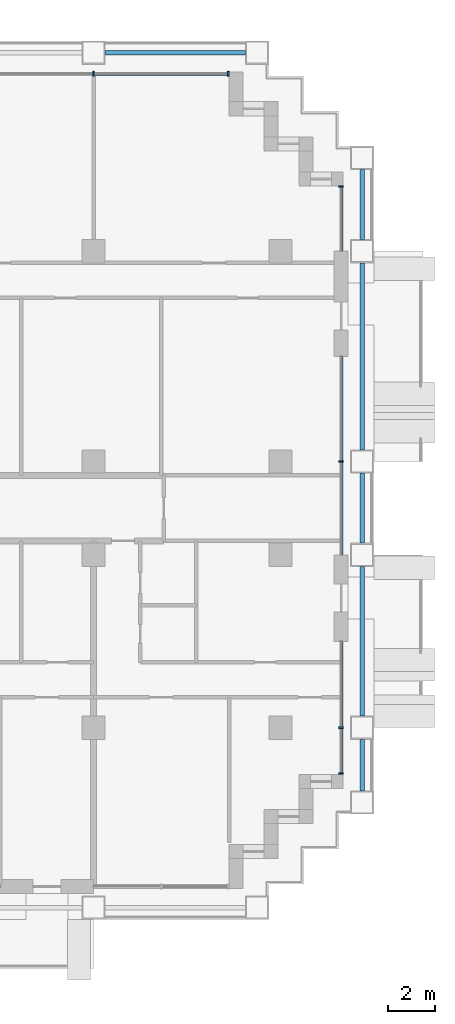
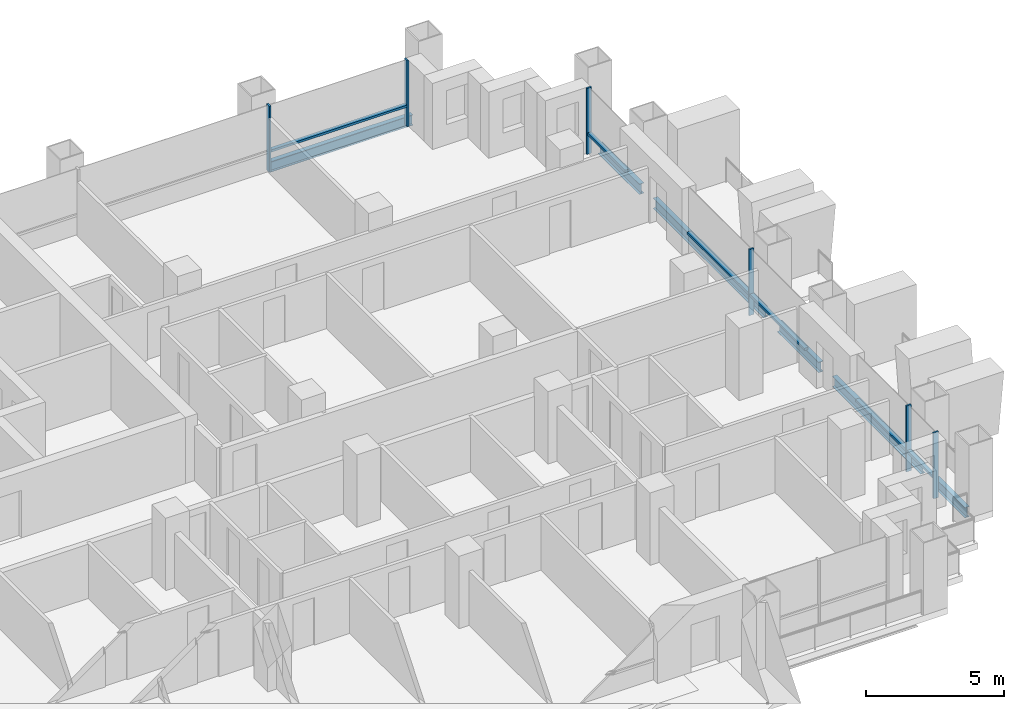
# One storey, part 6 of 19: 12 members, 6 beams, 4 elements without a shape of their own.
"""IFC4 building model written with IfcOpenShell, lengths in metres."""

from ifc_helpers import new_model, si_unit, direction, frame, origin, origin_2d, place, context, subcontext, project, spatial, rectangle, i_section, extrude, material, material_profile, profile_set, type_object, element, aggregate, save


model = new_model("IFC4")

# Units and contexts
model_context = context("Model", 3, precision=1e-05, world=origin(), true_north=direction((0.0, 1.0)))
body_context = subcontext(model_context, "Body", "Model", "MODEL_VIEW")
ifc_project = project(units=[si_unit("LENGTHUNIT", "METRE"), si_unit("AREAUNIT", "SQUARE_METRE"), si_unit("VOLUMEUNIT", "CUBIC_METRE"), si_unit("PLANEANGLEUNIT", "RADIAN"), si_unit("MASSUNIT", "GRAM", prefix="KILO")], contexts=[model_context])

# Site, building, storey
site_placement = place(None, origin())
site = spatial("IfcSite", under=ifc_project, at=site_placement, CompositionType="ELEMENT")
building_placement = place(site_placement, origin())
building = spatial("IfcBuilding", under=site, at=building_placement, Name="Vidyagriha Tower", CompositionType="ELEMENT")
storey_placement = place(building_placement, frame((0.0, 0.0, 57.60009765625)))
storey = spatial("IfcBuildingStorey", under=building, at=storey_placement, Name="L15", CompositionType="ELEMENT", Elevation=57.60009765625)

# Beams
ifc_material_1 = material(Name="Steel ASTM A992 Grade 50", Category="steel")
ifc_material_profile_1 = material_profile(ifc_material_1, i_section(OverallWidth=0.19189453125, OverallDepth=0.46240234375, WebThickness=0.010498046875, FlangeThickness=0.017578125, at=origin_2d()), Name="W18X60")
ifc_profile_set_1 = profile_set([ifc_material_profile_1], Name="Steel ASTM A992 Grade 50")
beam_type = type_object("IfcBeamType", Name="Edge beam W18X60", PredefinedType="SPANDREL", material=ifc_profile_set_1)
beam_1_placement = place(storey_placement, frame((37.5, -12.10009765625, -0.51123046875), z_axis=(0.0, 1.0, 0.0), x_axis=(-1.0, 0.0, 0.0)))
element("IfcBeam", 1, at=beam_1_placement, inside=storey, type_object=beam_type, Name="st-beam-L15-E15", PredefinedType="SPANDREL", context=body_context, shape_type="SweptSolid", body=[
    extrude(i_section(OverallWidth=0.19189453125, OverallDepth=0.46240234375, WebThickness=0.010498046875, FlangeThickness=0.017578125, at=origin_2d()), origin(), (0.0, 0.0, 1.0), 2.2001953125),
])
beam_2_placement = place(storey_placement, frame((37.5, -8.89990234375, -0.51123046875), z_axis=(0.0, 1.0, 0.0), x_axis=(-1.0, 0.0, 0.0)))
element("IfcBeam", 2, at=beam_2_placement, inside=storey, type_object=beam_type, Name="st-beam-L15-E16", PredefinedType="SPANDREL", context=body_context, shape_type="SweptSolid", body=[
    extrude(i_section(OverallWidth=0.19189453125, OverallDepth=0.46240234375, WebThickness=0.010498046875, FlangeThickness=0.017578125, at=origin_2d()), origin(), (0.0, 0.0, 1.0), 6.39990234375),
])
beam_3_placement = place(storey_placement, frame((37.5, -1.5, -0.51123046875), z_axis=(0.0, 1.0, 0.0), x_axis=(-1.0, 0.0, 0.0)))
element("IfcBeam", 3, at=beam_3_placement, inside=storey, type_object=beam_type, Name="st-beam-L15-E17", PredefinedType="SPANDREL", context=body_context, shape_type="SweptSolid", body=[
    extrude(i_section(OverallWidth=0.19189453125, OverallDepth=0.46240234375, WebThickness=0.010498046875, FlangeThickness=0.017578125, at=origin_2d()), origin(), (0.0, 0.0, 1.0), 3.0),
])
beam_4_placement = place(storey_placement, frame((37.5, 2.5, -0.51123046875), z_axis=(0.0, 1.0, 0.0), x_axis=(-1.0, 0.0, 0.0)))
element("IfcBeam", 4, at=beam_4_placement, inside=storey, type_object=beam_type, Name="st-beam-L15-E18", PredefinedType="SPANDREL", context=body_context, shape_type="SweptSolid", body=[
    extrude(i_section(OverallWidth=0.19189453125, OverallDepth=0.46240234375, WebThickness=0.010498046875, FlangeThickness=0.017578125, at=origin_2d()), origin(), (0.0, 0.0, 1.0), 8.0),
])
beam_5_placement = place(storey_placement, frame((37.5, 11.5, -0.51123046875), z_axis=(0.0, 1.0, 0.0), x_axis=(-1.0, 0.0, 0.0)))
element("IfcBeam", 5, at=beam_5_placement, inside=storey, type_object=beam_type, Name="st-beam-L15-E19", PredefinedType="SPANDREL", context=body_context, shape_type="SweptSolid", body=[
    extrude(i_section(OverallWidth=0.19189453125, OverallDepth=0.46240234375, WebThickness=0.010498046875, FlangeThickness=0.017578125, at=origin_2d()), origin(), (0.0, 0.0, 1.0), 3.0),
])
beam_6_placement = place(storey_placement, frame((26.5, 19.5, -0.51123046875), z_axis=(1.0, 0.0, 0.0), x_axis=(0.0, 1.0, 0.0)))
element("IfcBeam", 6, at=beam_6_placement, inside=storey, type_object=beam_type, Name="st-beam-L15-NE23", PredefinedType="SPANDREL", context=body_context, shape_type="SweptSolid", body=[
    extrude(i_section(OverallWidth=0.19189453125, OverallDepth=0.46240234375, WebThickness=0.010498046875, FlangeThickness=0.017578125, at=origin_2d()), origin(), (0.0, 0.0, 1.0), 6.0),
])

# Curtain wall, members
ifc_material_2 = material(Name="Aluminium and glass curtain wall", Category="aluminium")
curtain_wall_type = type_object("IfcCurtainWallType", Name="Dwelling skin unitised curtain wall", PredefinedType="USERDEFINED", material=ifc_material_2)
curtain_wall_1_placement = place(storey_placement, origin())
curtain_wall_1 = element("IfcCurtainWall", 7, at=curtain_wall_1_placement, inside=storey, type_object=curtain_wall_type, Name="CW1 dwelling skin", ObjectType="UNITISED", PredefinedType="USERDEFINED")
ifc_material_3 = material(Name="Aluminium black anodised", Category="aluminium")
ifc_material_profile_2 = material_profile(ifc_material_3, rectangle(XDim=0.199951171875, YDim=0.070068359375, at=origin_2d()), Name="Mullion 70x200 black aluminium")
ifc_profile_set_2 = profile_set([ifc_material_profile_2], Name="Aluminium black anodised")
member_type_1 = type_object("IfcMemberType", Name="Mullion 70x200 black aluminium", PredefinedType="MULLION", material=ifc_profile_set_2)
member_1_placement = place(storey_placement, frame((31.764892578125, 18.60009765625, 0.0), z_axis=(0.0, 0.0, 1.0), x_axis=(0.0, -1.0, 0.0)))
member_1 = element("IfcMember", 8, at=member_1_placement, type_object=member_type_1, Name="CW1 mullion 1", PredefinedType="MULLION", context=body_context, shape_type="SweptSolid", body=[
    extrude(rectangle(XDim=0.199951171875, YDim=0.070068359375, at=origin_2d()), origin(), (0.0, 0.0, 1.0), 2.919921875),
])
member_2_placement = place(storey_placement, frame((26.0, 18.60009765625, 0.0), z_axis=(0.0, 0.0, 1.0), x_axis=(0.0, -1.0, 0.0)))
member_2 = element("IfcMember", 9, at=member_2_placement, type_object=member_type_1, Name="CW1 mullion 2", PredefinedType="MULLION", context=body_context, shape_type="SweptSolid", body=[
    extrude(rectangle(XDim=0.199951171875, YDim=0.070068359375, at=origin_2d()), origin(), (0.0, 0.0, 1.0), 2.919921875),
])

curtain_wall_2_placement = place(storey_placement, origin())
curtain_wall_2 = element("IfcCurtainWall", 10, at=curtain_wall_2_placement, inside=storey, type_object=curtain_wall_type, Name="CW1 dwelling skin", ObjectType="UNITISED", PredefinedType="USERDEFINED")
member_3_placement = place(storey_placement, frame((36.60009765625, -11.364990234375, 0.0), z_axis=(0.0, 0.0, 1.0), x_axis=(-1.0, 0.0, 0.0)))
member_3 = element("IfcMember", 11, at=member_3_placement, type_object=member_type_1, Name="CW1 mullion 1", PredefinedType="MULLION", context=body_context, shape_type="SweptSolid", body=[
    extrude(rectangle(XDim=0.199951171875, YDim=0.070068359375, at=origin_2d()), origin(), (0.0, 0.0, 1.0), 2.919921875),
])
member_4_placement = place(storey_placement, frame((36.60009765625, -9.39990234375, 0.0), z_axis=(0.0, 0.0, 1.0), x_axis=(-1.0, 0.0, 0.0)))
member_4 = element("IfcMember", 12, at=member_4_placement, type_object=member_type_1, Name="CW1 mullion 2", PredefinedType="MULLION", context=body_context, shape_type="SweptSolid", body=[
    extrude(rectangle(XDim=0.199951171875, YDim=0.070068359375, at=origin_2d()), origin(), (0.0, 0.0, 1.0), 2.919921875),
])

# Curtain wall, member
curtain_wall_3_placement = place(storey_placement, origin())
curtain_wall_3 = element("IfcCurtainWall", 13, at=curtain_wall_3_placement, inside=storey, type_object=curtain_wall_type, Name="CW1 dwelling skin", ObjectType="UNITISED", PredefinedType="USERDEFINED")
member_5_placement = place(storey_placement, frame((36.60009765625, 2.0, 0.0), z_axis=(0.0, 0.0, 1.0), x_axis=(-1.0, 0.0, 0.0)))
member_5 = element("IfcMember", 14, at=member_5_placement, type_object=member_type_1, Name="CW1 mullion 2", PredefinedType="MULLION", context=body_context, shape_type="SweptSolid", body=[
    extrude(rectangle(XDim=0.199951171875, YDim=0.070068359375, at=origin_2d()), origin(), (0.0, 0.0, 1.0), 2.919921875),
])

curtain_wall_4_placement = place(storey_placement, origin())
curtain_wall_4 = element("IfcCurtainWall", 15, at=curtain_wall_4_placement, inside=storey, type_object=curtain_wall_type, Name="CW1 dwelling skin", ObjectType="UNITISED", PredefinedType="USERDEFINED")
member_6_placement = place(storey_placement, frame((36.60009765625, 13.764892578125, 0.0), z_axis=(0.0, 0.0, 1.0), x_axis=(-1.0, 0.0, 0.0)))
member_6 = element("IfcMember", 16, at=member_6_placement, type_object=member_type_1, Name="CW1 mullion 2", PredefinedType="MULLION", context=body_context, shape_type="SweptSolid", body=[
    extrude(rectangle(XDim=0.199951171875, YDim=0.070068359375, at=origin_2d()), origin(), (0.0, 0.0, 1.0), 2.919921875),
])

# Member
ifc_material_4 = material(Name="Aluminium black anodised", Category="aluminium")
ifc_material_profile_3 = material_profile(ifc_material_4, rectangle(XDim=0.159912109375, YDim=0.10009765625, at=origin_2d()), Name="Transom 100x160 black aluminium")
ifc_profile_set_3 = profile_set([ifc_material_profile_3], Name="Aluminium black anodised")
member_type_2 = type_object("IfcMemberType", Name="Transom 100x160 black aluminium", PredefinedType="USERDEFINED", material=ifc_profile_set_3)
member_7_placement = place(storey_placement, frame((31.72998046875, 18.60009765625, 0.89990234375), z_axis=(-1.0, 0.0, 0.0), x_axis=(0.0, -1.0, 0.0)))
member_7 = element("IfcMember", 17, at=member_7_placement, type_object=member_type_2, Name="CW1 transom 1.1", ObjectType="TRANSOM", PredefinedType="USERDEFINED", context=body_context, shape_type="SweptSolid", body=[
    extrude(rectangle(XDim=0.159912109375, YDim=0.10009765625, at=origin_2d()), origin(), (0.0, 0.0, 1.0), 5.695068359375),
])

aggregate(curtain_wall_1, [member_1, member_2, member_7])

member_8_placement = place(storey_placement, frame((36.60009765625, -11.330078125, 0.89990234375), z_axis=(0.0, 1.0, 0.0), x_axis=(-1.0, 0.0, 0.0)))
member_8 = element("IfcMember", 18, at=member_8_placement, type_object=member_type_2, Name="CW1 transom 1.1", ObjectType="TRANSOM", PredefinedType="USERDEFINED", context=body_context, shape_type="SweptSolid", body=[
    extrude(rectangle(XDim=0.159912109375, YDim=0.10009765625, at=origin_2d()), origin(), (0.0, 0.0, 1.0), 1.89501953125),
])

member_9_placement = place(storey_placement, frame((36.60009765625, -9.364990234375, 0.89990234375), z_axis=(0.0, 1.0, 0.0), x_axis=(-1.0, 0.0, 0.0)))
member_9 = element("IfcMember", 19, at=member_9_placement, type_object=member_type_2, Name="CW1 transom 2.1", ObjectType="TRANSOM", PredefinedType="USERDEFINED", context=body_context, shape_type="SweptSolid", body=[
    extrude(rectangle(XDim=0.159912109375, YDim=0.10009765625, at=origin_2d()), origin(), (0.0, 0.0, 1.0), 3.6650390625),
])

aggregate(curtain_wall_2, [member_3, member_4, member_8, member_9])

member_10_placement = place(storey_placement, frame((36.60009765625, -2.0, 0.89990234375), z_axis=(0.0, 1.0, 0.0), x_axis=(-1.0, 0.0, 0.0)))
member_10 = element("IfcMember", 20, at=member_10_placement, type_object=member_type_2, Name="CW1 transom 1.1", ObjectType="TRANSOM", PredefinedType="USERDEFINED", context=body_context, shape_type="SweptSolid", body=[
    extrude(rectangle(XDim=0.159912109375, YDim=0.10009765625, at=origin_2d()), origin(), (0.0, 0.0, 1.0), 3.965087890625),
])

member_11_placement = place(storey_placement, frame((36.60009765625, 2.034912109375, 0.89990234375), z_axis=(0.0, 1.0, 0.0), x_axis=(-1.0, 0.0, 0.0)))
member_11 = element("IfcMember", 21, at=member_11_placement, type_object=member_type_2, Name="CW1 transom 2.1", ObjectType="TRANSOM", PredefinedType="USERDEFINED", context=body_context, shape_type="SweptSolid", body=[
    extrude(rectangle(XDim=0.159912109375, YDim=0.10009765625, at=origin_2d()), origin(), (0.0, 0.0, 1.0), 4.465087890625),
])

aggregate(curtain_wall_3, [member_5, member_10, member_11])

member_12_placement = place(storey_placement, frame((36.60009765625, 11.0, 0.89990234375), z_axis=(0.0, 1.0, 0.0), x_axis=(-1.0, 0.0, 0.0)))
member_12 = element("IfcMember", 22, at=member_12_placement, type_object=member_type_2, Name="CW1 transom 1.1", ObjectType="TRANSOM", PredefinedType="USERDEFINED", context=body_context, shape_type="SweptSolid", body=[
    extrude(rectangle(XDim=0.159912109375, YDim=0.10009765625, at=origin_2d()), origin(), (0.0, 0.0, 1.0), 2.72998046875),
])

aggregate(curtain_wall_4, [member_6, member_12])

save(model, "model.ifc")
